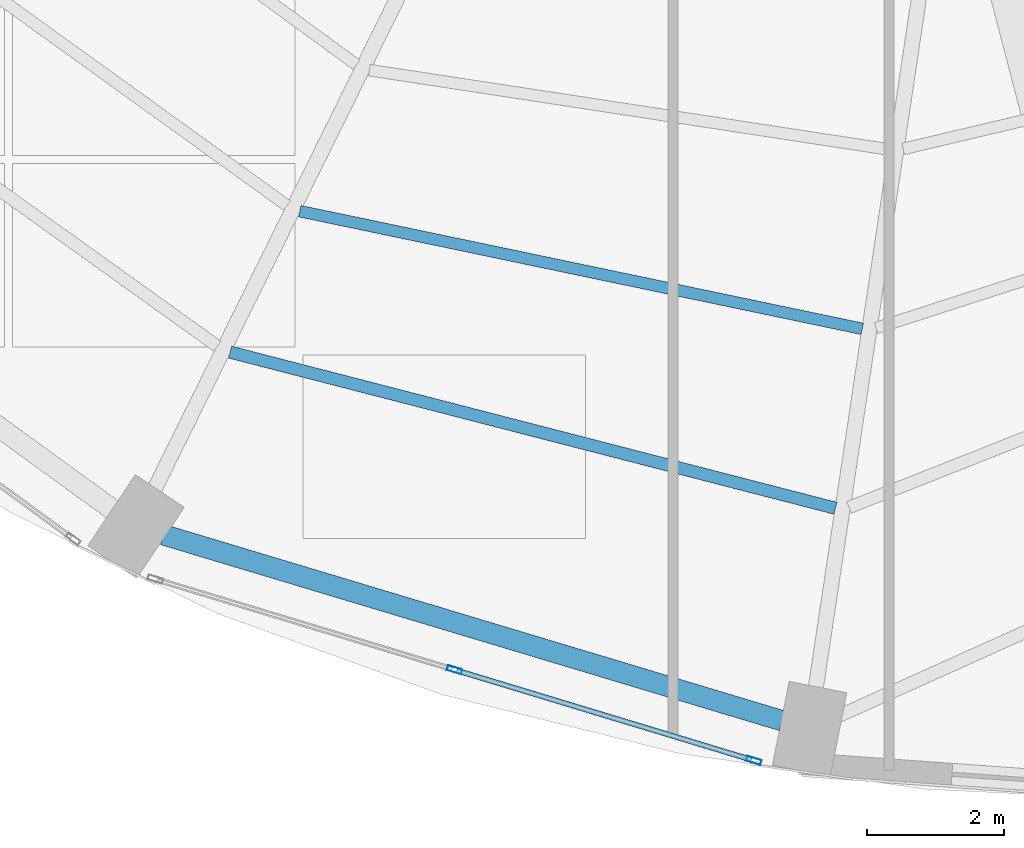
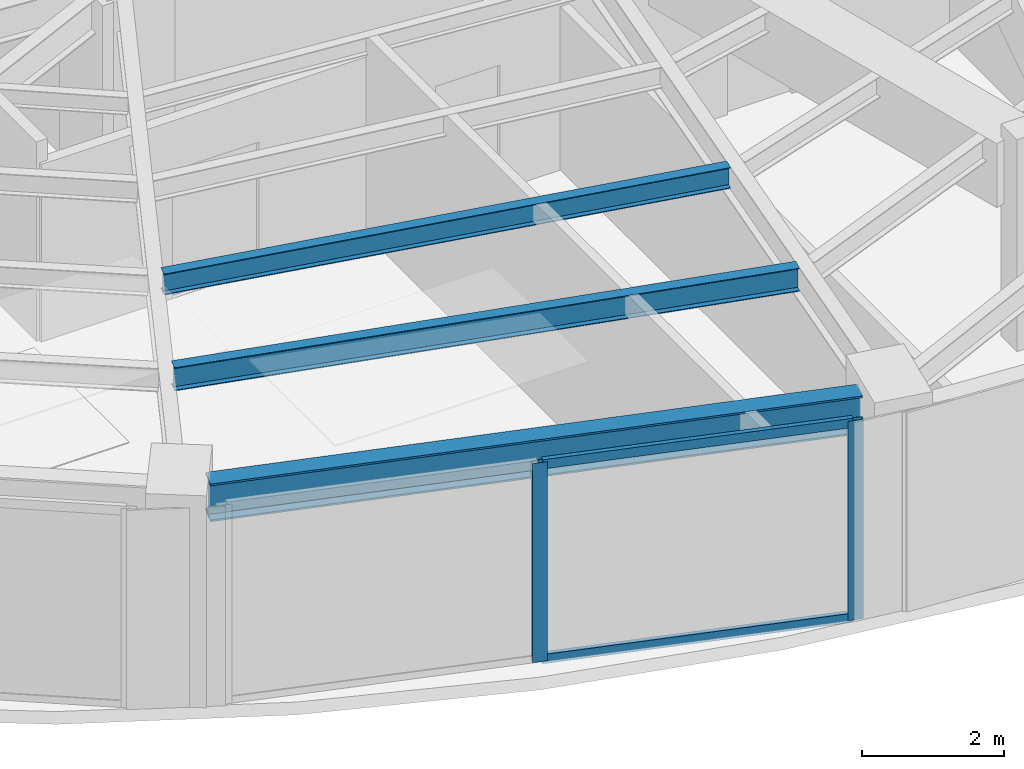
# One storey, part 5 of 24: 4 members, 3 beams, 1 element without a shape of its own.
"""IFC4 building model written with IfcOpenShell, lengths in metres."""

from ifc_helpers import new_model, si_unit, direction, frame, origin, origin_2d, place, context, subcontext, project, spatial, hollow_rectangle, i_section, extrude, material, layer, layer_set, material_profile, profile_set, type_object, element, aggregate, save


model = new_model("IFC4")

# Units and contexts
model_context = context("Model", 3, precision=1e-05, world=origin(), true_north=direction((0.0, 1.0)))
body_context = subcontext(model_context, "Body", "Model", "MODEL_VIEW")
ifc_project = project(units=[si_unit("LENGTHUNIT", "METRE"), si_unit("AREAUNIT", "SQUARE_METRE"), si_unit("VOLUMEUNIT", "CUBIC_METRE"), si_unit("PLANEANGLEUNIT", "RADIAN"), si_unit("MASSUNIT", "GRAM", prefix="KILO")], contexts=[model_context])

# Site, building, storey
site_placement = place(None, origin())
site = spatial("IfcSite", under=ifc_project, at=site_placement, CompositionType="ELEMENT")
building_placement = place(site_placement, origin())
building = spatial("IfcBuilding", under=site, at=building_placement, Name="Lazwardi Medical Tower", CompositionType="ELEMENT")
storey_placement = place(building_placement, frame((0.0, 0.0, 61.679931640625)))
storey = spatial("IfcBuildingStorey", under=building, at=storey_placement, Name="L15", CompositionType="ELEMENT", Elevation=61.679931640625)

# Beams
ifc_material_1 = material(Name="Steel S355", Category="steel")
ifc_material_profile_1 = material_profile(ifc_material_1, i_section(OverallWidth=0.300048828125, OverallDepth=0.64990234375, WebThickness=0.01611328125, FlangeThickness=0.031005859375, at=origin_2d()), Name="HEB 650")
ifc_profile_set_1 = profile_set([ifc_material_profile_1], Name="Steel S355")
beam_type_1 = type_object("IfcBeamType", Name="BM-RB-Z1", PredefinedType="BEAM", material=ifc_profile_set_1)
beam_1_placement = place(storey_placement, frame((21.22119140625, 8.9951171875, 3.10302734375), z_axis=(0.957695289269, -0.287784177662, 0.0), x_axis=(0.287784177662, 0.957695289269, 0.0)))
element("IfcBeam", 1, at=beam_1_placement, inside=storey, type_object=beam_type_1, Name="Ring beam RB-02 B15 L15", PredefinedType="BEAM", context=body_context, shape_type="SweptSolid", body=[
    extrude(i_section(OverallWidth=0.300048828125, OverallDepth=0.64990234375, WebThickness=0.01611328125, FlangeThickness=0.031005859375, at=origin_2d()), origin(), (0.0, 0.0, 1.0), 9.445556640625),
])
ifc_material_profile_2 = material_profile(ifc_material_1, i_section(OverallWidth=0.179931640625, OverallDepth=0.39990234375, WebThickness=0.008544921875, FlangeThickness=0.013427734375, at=origin_2d()), Name="IPE 400")
ifc_profile_set_2 = profile_set([ifc_material_profile_2], Name="Steel S355")
beam_type_2 = type_object("IfcBeamType", Name="BM-SJ-01", PredefinedType="JOIST", material=ifc_profile_set_2)
beam_2_placement = place(storey_placement, frame((22.195068359375, 11.666748046875, 3.22802734375), z_axis=(0.968316918308, -0.249724539682, 0.0), x_axis=(0.249724539682, 0.968316918308, 0.0)))
element("IfcBeam", 2, at=beam_2_placement, inside=storey, type_object=beam_type_2, Name="Secondary joist SJ-01 R1 B15 L15", PredefinedType="JOIST", context=body_context, shape_type="SweptSolid", body=[
    extrude(i_section(OverallWidth=0.179931640625, OverallDepth=0.39990234375, WebThickness=0.008544921875, FlangeThickness=0.013427734375, at=origin_2d()), origin(), (0.0, 0.0, 1.0), 9.140869140625),
])
ifc_material_profile_3 = material_profile(ifc_material_1, i_section(OverallWidth=0.169921875, OverallDepth=0.360107421875, WebThickness=0.008056640625, FlangeThickness=0.0126953125, at=origin_2d()), Name="IPE 360")
ifc_profile_set_3 = profile_set([ifc_material_profile_3], Name="Steel S355")
beam_type_3 = type_object("IfcBeamType", Name="BM-SJ-02", PredefinedType="JOIST", material=ifc_profile_set_3)
beam_3_placement = place(storey_placement, frame((23.213623046875, 13.728271484375, 3.248046875), z_axis=(0.978809182847, -0.204774470026, 0.0), x_axis=(0.204774470026, 0.978809182847, 0.0)))
element("IfcBeam", 3, at=beam_3_placement, inside=storey, type_object=beam_type_3, Name="Secondary joist SJ-02 R2 B15 L15", PredefinedType="JOIST", context=body_context, shape_type="SweptSolid", body=[
    extrude(i_section(OverallWidth=0.169921875, OverallDepth=0.360107421875, WebThickness=0.008056640625, FlangeThickness=0.0126953125, at=origin_2d()), origin(), (0.0, 0.0, 1.0), 8.40283203125),
])

# Curtain wall, members
ifc_material_2 = material(Name="Anodised bronze aluminium and solar control glazing", Category="aluminium")
ifc_layer = layer(ifc_material_2, 0.199951171875)
ifc_layer_set = layer_set([ifc_layer], Name="Anodised bronze aluminium and solar control glazing")
curtain_wall_type = type_object("IfcCurtainWallType", Name="CW-SYS-02", PredefinedType="NOTDEFINED", material=ifc_layer_set)
curtain_wall_placement = place(storey_placement, origin())
curtain_wall = element("IfcCurtainWall", 4, at=curtain_wall_placement, inside=storey, type_object=curtain_wall_type, Name="L15 Unitised bronze curtain wall CW-02", PredefinedType="NOTDEFINED")
ifc_material_3 = material(Name="Anodised bronze aluminium", Category="aluminium")
ifc_material_profile_4 = material_profile(ifc_material_3, hollow_rectangle(XDim=0.074951171875, YDim=0.219970703125, WallThickness=0.00390625, at=origin_2d()), Name="ALU-MULLION 220x75x4")
ifc_profile_set_4 = profile_set([ifc_material_profile_4], Name="Anodised bronze aluminium")
member_type_1 = type_object("IfcMemberType", Name="CW-MUL-01", PredefinedType="MULLION", material=ifc_profile_set_4)
member_1_placement = place(storey_placement, frame((25.476806640625, 7.021484375, 0.0), z_axis=(0.0, 0.0, 1.0), x_axis=(0.2898956909, 0.957058247129, 0.0)))
member_1 = element("IfcMember", 5, at=member_1_placement, type_object=member_type_1, Name="CW-02 mullion 2", PredefinedType="MULLION", context=body_context, shape_type="SweptSolid", body=[
    extrude(hollow_rectangle(XDim=0.074951171875, YDim=0.219970703125, WallThickness=0.00390625, at=origin_2d()), origin(), (0.0, 0.0, 1.0), 3.427978515625),
])
member_2_placement = place(storey_placement, frame((29.85205078125, 5.6962890625, 0.0), z_axis=(0.0, 0.0, 1.0), x_axis=(0.2898956909, 0.957058247129, 0.0)))
member_2 = element("IfcMember", 6, at=member_2_placement, type_object=member_type_1, Name="CW-02 mullion 3", PredefinedType="MULLION", context=body_context, shape_type="SweptSolid", body=[
    extrude(hollow_rectangle(XDim=0.074951171875, YDim=0.219970703125, WallThickness=0.00390625, at=origin_2d()), origin(), (0.0, 0.0, 1.0), 3.427978515625),
])
ifc_material_profile_5 = material_profile(ifc_material_3, hollow_rectangle(XDim=0.074951171875, YDim=0.159912109375, WallThickness=0.00390625, at=origin_2d()), Name="ALU-TRANSOM 160x75x4")
ifc_profile_set_5 = profile_set([ifc_material_profile_5], Name="Anodised bronze aluminium")
member_type_2 = type_object("IfcMemberType", Name="CW-TRN-01", PredefinedType="USERDEFINED", material=ifc_profile_set_5)
member_3_placement = place(storey_placement, frame((25.5126953125, 7.0107421875, 0.03759765625), z_axis=(0.957047233423, -0.28993204893, 0.0), x_axis=(0.28993204893, 0.957047233423, 0.0)))
member_3 = element("IfcMember", 7, at=member_3_placement, type_object=member_type_2, Name="CW-02 transom 2.1", ObjectType="TRANSOM", PredefinedType="USERDEFINED", context=body_context, shape_type="SweptSolid", body=[
    extrude(hollow_rectangle(XDim=0.074951171875, YDim=0.159912109375, WallThickness=0.00390625, at=origin_2d()), origin(), (0.0, 0.0, 1.0), 4.49658203125),
])
member_4_placement = place(storey_placement, frame((25.5126953125, 7.0107421875, 3.390625), z_axis=(0.957047233423, -0.28993204893, 0.0), x_axis=(0.28993204893, 0.957047233423, 0.0)))
member_4 = element("IfcMember", 8, at=member_4_placement, type_object=member_type_2, Name="CW-02 transom 2.2", ObjectType="TRANSOM", PredefinedType="USERDEFINED", context=body_context, shape_type="SweptSolid", body=[
    extrude(hollow_rectangle(XDim=0.074951171875, YDim=0.159912109375, WallThickness=0.00390625, at=origin_2d()), origin(), (0.0, 0.0, 1.0), 4.49658203125),
])
aggregate(curtain_wall, [member_1, member_2, member_3, member_4])

save(model, "model.ifc")
